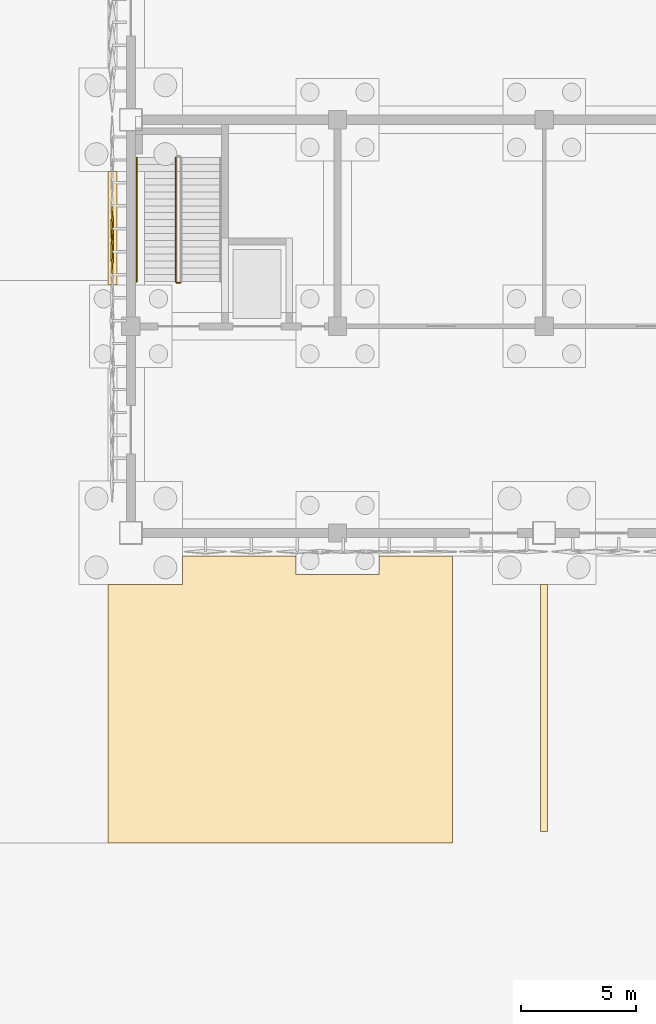
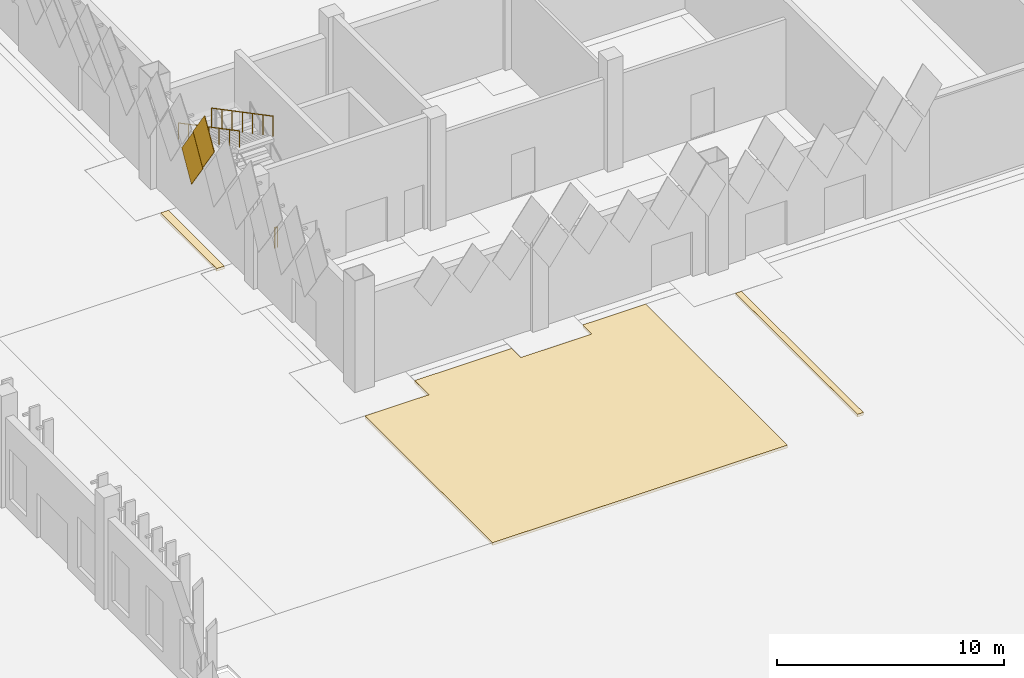
# One storey, part 141 of 198: 5 coverings, 3 railings.
"""IFC4 building model written with IfcOpenShell, lengths in metres."""

from ifc_helpers import new_model, si_unit, direction, frame, origin, origin_2d, place, context, subcontext, project, spatial, polyline, circle, outline, extrude, material, layer, layer_set, constituent, constituent_set, material_profile, profile_set, type_object, element, save


model = new_model("IFC4")

# Units and contexts
model_context = context("Model", 3, precision=1e-05, world=origin(), true_north=direction((0.0, 1.0)))
body_context = subcontext(model_context, "Body", "Model", "MODEL_VIEW")
ifc_project = project(units=[si_unit("LENGTHUNIT", "METRE"), si_unit("AREAUNIT", "SQUARE_METRE"), si_unit("VOLUMEUNIT", "CUBIC_METRE"), si_unit("PLANEANGLEUNIT", "RADIAN"), si_unit("MASSUNIT", "GRAM", prefix="KILO")], contexts=[model_context])

# Site, building, storey
site_placement = place(None, origin())
site = spatial("IfcSite", under=ifc_project, at=site_placement, CompositionType="ELEMENT")
building_placement = place(site_placement, origin())
building = spatial("IfcBuilding", under=site, at=building_placement, Name="Opaline Strait Convention Centre", CompositionType="ELEMENT")
storey_placement = place(building_placement, origin())
storey = spatial("IfcBuildingStorey", under=building, at=storey_placement, Name="L00", CompositionType="ELEMENT", Elevation=0.0)

# Coverings
ifc_material_1 = material(Name="White ceramic-faced aluminium tile", Category="aluminium")
ifc_material_profile = material_profile(ifc_material_1, outline(polyline([(0.927978515625, 0.0), (0.0, 1.39208984375), (-0.927978515625, 0.0), (0.0, -1.39208984375), (0.927978515625, 0.0)])), Name="Diamond tile 1856x2784")
ifc_profile_set = profile_set([ifc_material_profile], Name="White ceramic-faced aluminium tile")
covering_type_1 = type_object("IfcCoveringType", Name="Diamond wall tile 1856x2784x30 pivot 2 deg", PredefinedType="CLADDING", material=ifc_profile_set)
for number, where, z_axis, x_axis, name in (
    (1, (98.199951171875, 67.25, 4.39208984375), (-0.999471633277, 0.0, 0.032503142546), (0.0, -1.0, 0.0), "Wall tile XT04 W"),
    (2, (98.199951171875, 66.25, 5.89208984375), (-0.999471633277, 0.0, 0.032503142546), (0.0, -1.0, 0.0), "Wall tile XT04 W"),
):
    element("IfcCovering", number, at=place(storey_placement, frame(where, z_axis=z_axis, x_axis=x_axis)), inside=storey, type_object=covering_type_1, Name=name, PredefinedType="CLADDING", context=body_context, shape_type="SweptSolid", body=[
        extrude(outline(polyline([(0.927978515625, 0.0), (0.0, 1.39208984375), (-0.927978515625, 0.0), (0.0, -1.39208984375), (0.927978515625, 0.0)])), origin(), (0.0, 0.0, 1.0), 0.030029296875),
    ])
ifc_material_2 = material(Name="Concrete C30 red oxide", Category="concrete")
ifc_layer_1 = layer(ifc_material_2, 0.14990234375)
ifc_layer_set_1 = layer_set([ifc_layer_1], Name="Concrete C30 red oxide")
covering_type_2 = type_object("IfcCoveringType", Name="Fire lane concrete paving 150 C30", PredefinedType="FLOORING", material=ifc_layer_set_1)
covering_1_placement = place(storey_placement, frame((0.0, 0.0, -0.14990234375)))
element("IfcCovering", 3, at=covering_1_placement, inside=storey, type_object=covering_type_2, Name="Fire Rescue Pad Exhibition South 1 surfacing", PredefinedType="FLOORING", context=body_context, shape_type="SweptSolid", body=[
    extrude(outline(polyline([(113.0, 40.5), (113.0, 53.0), (109.804931640625, 53.0), (109.804931640625, 52.195068359375), (106.195068359375, 52.195068359375), (106.195068359375, 53.0), (101.2548828125, 53.0), (101.2548828125, 51.7451171875), (98.0, 51.7451171875), (98.0, 40.5), (113.0, 40.5)])), origin(), (0.0, 0.0, 1.0), 0.14990234375),
])
ifc_material_3 = material(Name="Concrete C30 exposed aggregate", Category="concrete")
ifc_layer_2 = layer(ifc_material_3, 0.14990234375)
ifc_layer_set_2 = layer_set([ifc_layer_2], Name="Concrete C30 exposed aggregate")
covering_type_3 = type_object("IfcCoveringType", Name="Site paving 150", PredefinedType="FLOORING", material=ifc_layer_set_2)
covering_2_placement = place(storey_placement, frame((0.0, 0.0, -0.14990234375)))
element("IfcCovering", 4, at=covering_2_placement, inside=storey, type_object=covering_type_3, Name="Site paving surfacing", PredefinedType="FLOORING", context=body_context, shape_type="SweptSolid", body=[
    extrude(outline(polyline([(98.0, 69.7451171875), (98.0, 65.0), (98.0, 64.804931640625), (98.39501953125, 64.804931640625), (98.39501953125, 69.7451171875), (98.0, 69.7451171875)])), origin(), (0.0, 0.0, 1.0), 0.14990234375),
])

# Railings
ifc_material_4 = material(Name="Steel Q235B", Category="steel")
ifc_constituent_1 = constituent(ifc_material_4, Name="Frame")
ifc_material_5 = material(Name="Safety glass, bonded interlayer", Category="glass")
ifc_constituent_2 = constituent(ifc_material_5, Name="Infill")
ifc_constituent_set = constituent_set(constituents=[ifc_constituent_1, ifc_constituent_2], Name="Steel Q235B, Safety glass, bonded interlayer")
railing_type_1 = type_object("IfcRailingType", Name="Stair guard 1100 steel and glass", PredefinedType="GUARDRAIL", material=ifc_constituent_set)
railing_1_placement = place(storey_placement, frame((100.949951171875, 70.35009765625, 3.157958984375)))
element("IfcRailing", 5, at=railing_1_placement, inside=storey, type_object=railing_type_1, Name="L00 XST1 stair guard 3", PredefinedType="GUARDRAIL", context=body_context, shape_type="SweptSolid", body=[
    extrude(circle(Radius=0.02392578125, at=origin_2d()), frame((0.0, 0.0, 1.076171875), z_axis=(0.0, -0.884927768474, 0.465728294806), x_axis=(1.0, 0.0, 0.0)), (0.0, 0.0, 1.0), 6.102294921875),
    extrude(circle(Radius=0.02099609375, at=origin_2d()), origin(), (0.0, 0.0, 1.0), 1.052001953125),
    extrude(circle(Radius=0.02099609375, at=origin_2d()), frame((0.0, -0.89990234375, 0.4736328125)), (0.0, 0.0, 1.0), 1.052001953125),
    extrude(circle(Radius=0.02099609375, at=origin_2d()), frame((0.0, -1.800048828125, 0.947265625)), (0.0, 0.0, 1.0), 1.052001953125),
    extrude(circle(Radius=0.02099609375, at=origin_2d()), frame((0.0, -2.7001953125, 1.4208984375)), (0.0, 0.0, 1.0), 1.052001953125),
    extrude(circle(Radius=0.02099609375, at=origin_2d()), frame((0.0, -3.60009765625, 1.894775390625)), (0.0, 0.0, 1.0), 1.052001953125),
    extrude(circle(Radius=0.02099609375, at=origin_2d()), frame((0.0, -4.5, 2.368408203125)), (0.0, 0.0, 1.0), 1.052001953125),
    extrude(circle(Radius=0.02099609375, at=origin_2d()), frame((0.0, -5.400146484375, 2.842041015625)), (0.0, 0.0, 1.0), 1.052001953125),
])
railing_2_placement = place(storey_placement, frame((101.14990234375, 64.89990234375, 0.0)))
element("IfcRailing", 6, at=railing_2_placement, inside=storey, type_object=railing_type_1, Name="L00 XST1 stair guard 4", PredefinedType="GUARDRAIL", context=body_context, shape_type="SweptSolid", body=[
    extrude(circle(Radius=0.02392578125, at=origin_2d()), frame((0.0, 0.0, 1.076171875), z_axis=(-1.0, 0.0, 0.0), x_axis=(0.0, -1.0, 0.0)), (0.0, 0.0, 1.0), 0.14990234375),
    extrude(circle(Radius=0.02099609375, at=origin_2d()), origin(), (0.0, 0.0, 1.0), 1.052001953125),
    extrude(circle(Radius=0.02099609375, at=origin_2d()), frame((-0.14990234375, 0.0, 0.0)), (0.0, 0.0, 1.0), 1.052001953125),
])
ifc_material_6 = material(Name="Stainless steel 304", Category="steel")
railing_type_2 = type_object("IfcRailingType", Name="Stair handrail 900", PredefinedType="HANDRAIL", material=ifc_material_6)
railing_3_placement = place(storey_placement, frame((99.25, 70.35009765625, 3.157958984375)))
element("IfcRailing", 7, at=railing_3_placement, inside=storey, type_object=railing_type_2, Name="L00 XST1 stair handrail 2", PredefinedType="HANDRAIL", context=body_context, shape_type="SweptSolid", body=[
    extrude(circle(Radius=0.02392578125, at=origin_2d()), frame((0.0, 0.0, 0.8759765625), z_axis=(0.0, -0.884927768474, 0.465728294806), x_axis=(1.0, 0.0, 0.0)), (0.0, 0.0, 1.0), 6.102294921875),
    extrude(circle(Radius=0.02099609375, at=origin_2d()), origin(), (0.0, 0.0, 1.0), 0.851806640625),
    extrude(circle(Radius=0.02099609375, at=origin_2d()), frame((0.0, -0.89990234375, 0.4736328125)), (0.0, 0.0, 1.0), 0.851806640625),
    extrude(circle(Radius=0.02099609375, at=origin_2d()), frame((0.0, -1.800048828125, 0.947265625)), (0.0, 0.0, 1.0), 0.851806640625),
    extrude(circle(Radius=0.02099609375, at=origin_2d()), frame((0.0, -2.7001953125, 1.4208984375)), (0.0, 0.0, 1.0), 0.851806640625),
    extrude(circle(Radius=0.02099609375, at=origin_2d()), frame((0.0, -3.60009765625, 1.894775390625)), (0.0, 0.0, 1.0), 0.851806640625),
    extrude(circle(Radius=0.02099609375, at=origin_2d()), frame((0.0, -4.5, 2.368408203125)), (0.0, 0.0, 1.0), 0.851806640625),
    extrude(circle(Radius=0.02099609375, at=origin_2d()), frame((0.0, -5.400146484375, 2.842041015625)), (0.0, 0.0, 1.0), 0.851806640625),
])

# Covering
ifc_material_7 = material(Name="Road marking paint on concrete", Category="concrete")
ifc_layer_3 = layer(ifc_material_7, 0.14990234375)
ifc_layer_set_3 = layer_set([ifc_layer_3], Name="Road marking paint on concrete")
covering_type_4 = type_object("IfcCoveringType", Name="Yard marking strip 150", PredefinedType="FLOORING", material=ifc_layer_set_3)
covering_3_placement = place(storey_placement, frame((0.0, 0.0, -0.14990234375)))
element("IfcCovering", 8, at=covering_3_placement, inside=storey, type_object=covering_type_4, Name="Truck bay line 3 surfacing", PredefinedType="FLOORING", context=body_context, shape_type="SweptSolid", body=[
    extrude(outline(polyline([(116.85009765625, 51.7451171875), (116.85009765625, 41.0), (117.14990234375, 41.0), (117.14990234375, 51.7451171875), (116.85009765625, 51.7451171875)])), origin(), (0.0, 0.0, 1.0), 0.14990234375),
])

save(model, "model.ifc")
